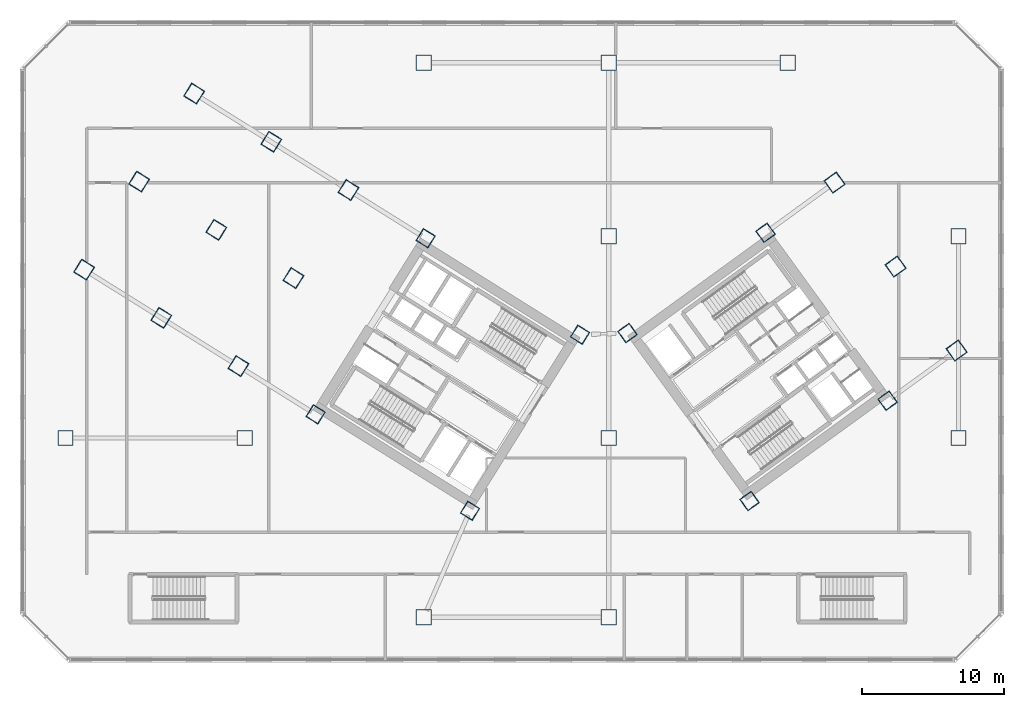
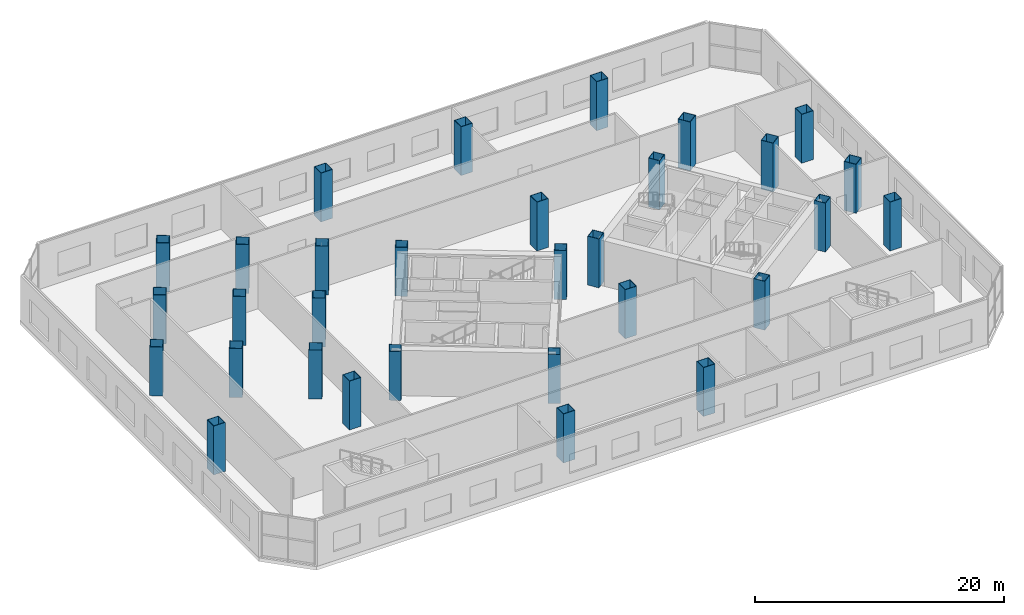
# One storey, part 1 of 22: 31 columns.
"""IFC4 building model written with IfcOpenShell, lengths in metres."""

import ifcopenshell
import ifcopenshell.guid

model = None  # the IFC model being written
_history = None  # IfcOwnerHistory: only IFC2X3 demands one
_inside = {}  # id of a spatial element -> (the spatial element, [elements in it])
_under = {}  # id of a project, library or spatial element -> (it, [spatial elements below it])
_declared = {}  # id of a project -> (the project, [libraries it declares])
_typed = {}  # id of a type object -> (the type object, [elements of that type])
_made_of = {}  # id of a material, layer set ... -> (it, [elements and type objects made of it])


def new_model(schema):
    """Start an empty IFC model of exactly this schema.

    Asked for "IFC4X3", IfcOpenShell would pick the latest addendum, in which some entities
    have other attributes; the version numbers below select the first issue.
    IFC2X3 requires an IfcOwnerHistory on every rooted entity: one is made here for all.
    """
    global model, _history
    if schema == "IFC4X3":
        model = ifcopenshell.file(schema_version=(4, 3, 0, 0))
    else:
        model = ifcopenshell.file(schema=schema)
    _inside.clear()
    _under.clear()
    _declared.clear()
    _typed.clear()
    _made_of.clear()
    _history = None
    if model.schema == "IFC2X3":
        org = make("IfcOrganization", Name="unknown")
        user = make(
            "IfcPersonAndOrganization",
            ThePerson=make("IfcPerson", FamilyName="unknown"),
            TheOrganization=org,
        )
        app = make(
            "IfcApplication",
            ApplicationDeveloper=org,
            Version="unknown",
            ApplicationFullName="unknown",
            ApplicationIdentifier="unknown",
        )
        _history = make(
            "IfcOwnerHistory",
            OwningUser=user,
            OwningApplication=app,
            ChangeAction="ADDED",
            CreationDate=0,
        )
    return model


def make(cls, **values):
    """One entity of the class cls with the attributes given. An attribute that is None is left unset."""
    return model.create_entity(
        cls, **{name: value for name, value in values.items() if value is not None}
    )


def rooted(cls, **values):
    """An entity with a GlobalId (a new one), such as an element, a storey or a relation."""
    return make(cls, GlobalId=ifcopenshell.guid.new(), OwnerHistory=_history, **values)


def si_unit(unit_type, name, prefix=None):
    """IfcSIUnit, for example si_unit("LENGTHUNIT", "METRE", prefix="MILLI")."""
    return make("IfcSIUnit", UnitType=unit_type, Prefix=prefix, Name=name)


def assignment(units):
    """IfcUnitAssignment: the units of a project."""
    return None if units is None else make("IfcUnitAssignment", Units=units)


def point(xyz):
    """IfcCartesianPoint."""
    return None if xyz is None else make("IfcCartesianPoint", Coordinates=xyz)


def direction(xyz):
    """IfcDirection."""
    return None if xyz is None else make("IfcDirection", DirectionRatios=xyz)


def frame(location, z_axis=None, x_axis=None):
    """IfcAxis2Placement3D, a coordinate frame: its origin and axes. An axis left out is left unset."""
    return make(
        "IfcAxis2Placement3D",
        Location=point(location),
        Axis=direction(z_axis),
        RefDirection=direction(x_axis),
    )


def frame_2d(location, x_axis=None):
    """IfcAxis2Placement2D, a coordinate frame in the plane: its origin and x axis."""
    return make(
        "IfcAxis2Placement2D", Location=point(location), RefDirection=direction(x_axis)
    )


def origin():
    """The frame at (0, 0, 0) with its axes left unset."""
    return frame((0.0, 0.0, 0.0))


def origin_2d():
    """The frame at (0, 0) in the plane with its x axis left unset."""
    return frame_2d((0.0, 0.0))


def place(relative_to, where):
    """IfcLocalPlacement: puts the frame where relative to a parent placement (None: the world)."""
    return make(
        "IfcLocalPlacement", PlacementRelTo=relative_to, RelativePlacement=where
    )


def context(
    kind, dimensions, precision=None, world=None, true_north=None, identifier=None
):
    """IfcGeometricRepresentationContext, for example the 3D "Model" context."""
    return make(
        "IfcGeometricRepresentationContext",
        ContextIdentifier=identifier,
        ContextType=kind,
        CoordinateSpaceDimension=dimensions,
        Precision=precision,
        WorldCoordinateSystem=world,
        TrueNorth=true_north,
    )


def subcontext(parent, identifier, kind, view, scale=None):
    """IfcGeometricRepresentationSubContext, for example "Body" below "Model"."""
    return make(
        "IfcGeometricRepresentationSubContext",
        ContextIdentifier=identifier,
        ContextType=kind,
        ParentContext=parent,
        TargetScale=scale,
        TargetView=view,
    )


def project(units=None, contexts=None):
    """IfcProject with its units and contexts."""
    return rooted(
        "IfcProject",
        Name="project",
        RepresentationContexts=contexts,
        UnitsInContext=assignment(units),
    )


def spatial(cls, under=None, at=None, **own):
    """A site, building, storey or space (cls), placed at a placement, below another one or the project."""
    s = rooted(cls, ObjectPlacement=at, **own)
    if under is not None:
        _under.setdefault(under.id(), (under, []))[1].append(s)
    return s


def profile(cls, at=None, kind="AREA", **sizes):
    """A parametric profile (cls). Its sizes go by their IFC names, for example OverallWidth=200.0."""
    return make(cls, ProfileType=kind, Position=at, **sizes)


def hollow_rectangle(**sizes):
    """IfcRectangleHollowProfileDef."""
    return profile("IfcRectangleHollowProfileDef", **sizes)


def extrude(swept, where, along, depth):
    """IfcExtrudedAreaSolid: the profile swept, set in the frame where, extruded along a direction by depth."""
    return make(
        "IfcExtrudedAreaSolid",
        SweptArea=swept,
        Position=where,
        ExtrudedDirection=direction(along),
        Depth=depth,
    )


def shape(context_of_items, identifier, shape_type, items):
    """IfcShapeRepresentation: the items that make up one representation, for example the "Body"."""
    return make(
        "IfcShapeRepresentation",
        ContextOfItems=context_of_items,
        RepresentationIdentifier=identifier,
        RepresentationType=shape_type,
        Items=items,
    )


def source(mapping_origin, context_of_items, identifier, shape_type, items):
    """IfcRepresentationMap: a shape defined once, which mapped items show again and again."""
    return make(
        "IfcRepresentationMap",
        MappingOrigin=mapping_origin,
        MappedRepresentation=shape(context_of_items, identifier, shape_type, items),
    )


def transform(
    local_origin,
    x_axis=None,
    y_axis=None,
    z_axis=None,
    scale=None,
    scale2=None,
    scale3=None,
    uniform=True,
):
    """IfcCartesianTransformationOperator3D, or its non-uniform kind. x_axis, y_axis, z_axis: its Axis1, 2, 3."""
    if uniform:
        return make(
            "IfcCartesianTransformationOperator3D",
            Axis1=direction(x_axis),
            Axis2=direction(y_axis),
            LocalOrigin=point(local_origin),
            Scale=scale,
            Axis3=direction(z_axis),
        )
    return make(
        "IfcCartesianTransformationOperator3DnonUniform",
        Axis1=direction(x_axis),
        Axis2=direction(y_axis),
        LocalOrigin=point(local_origin),
        Scale=scale,
        Axis3=direction(z_axis),
        Scale2=scale2,
        Scale3=scale3,
    )


def mapped(mapping_source, mapping_target):
    """IfcMappedItem: shows the shape of a source again, moved by a transform."""
    return make(
        "IfcMappedItem", MappingSource=mapping_source, MappingTarget=mapping_target
    )


def material(Name=None, Category=None):
    """IfcMaterial."""
    return make("IfcMaterial", Name=Name, Category=Category)


def material_profile(
    of_material, cross_section, Name=None, Category=None, Priority=None
):
    """IfcMaterialProfile: a cross section and its material."""
    return make(
        "IfcMaterialProfile",
        Name=Name,
        Material=of_material,
        Profile=cross_section,
        Priority=Priority,
        Category=Category,
    )


def profile_set(profiles, Name=None, composite=None):
    """IfcMaterialProfileSet."""
    return make(
        "IfcMaterialProfileSet",
        Name=Name,
        MaterialProfiles=profiles,
        CompositeProfile=composite,
    )


def made_of(thing, what):
    """Note that an element or type object is made of a material, layer set ...; save() writes the relation."""
    if what is not None:
        _made_of.setdefault(what.id(), (what, []))[1].append(thing)
    return thing


def type_object(cls, material=None, **own):
    """A type object (cls), such as IfcWallType, which elements share."""
    return made_of(rooted(cls, **own), material)


def element(
    cls,
    number,
    at=None,
    inside=None,
    cuts=None,
    type_object=None,
    material=None,
    context=None,
    identifier="Body",
    shape_type=None,
    held_by="IfcProductDefinitionShape",
    body=None,
    shapes=None,
    **own,
):
    """One element of the class cls, such as IfcWall. Its Tag is "e" and its number.

    at: its placement. inside: the storey or other place that contains it. cuts: it is an
    opening in that element (IfcRelVoidsElement). A single representation is given by context,
    identifier, shape_type and body (its items); several are given by shapes. held_by: the class
    of the entity that holds the representations. save() writes the other relations.
    """
    e = rooted(cls, Tag="e%d" % number, ObjectPlacement=at, **own)
    if body is not None:
        shapes = [shape(context, identifier, shape_type, body)]
    if shapes is not None:
        e.Representation = make(held_by, Representations=shapes)
    if inside is not None:
        _inside.setdefault(inside.id(), (inside, []))[1].append(e)
    if cuts is not None:
        rooted(
            "IfcRelVoidsElement", RelatingBuildingElement=cuts, RelatedOpeningElement=e
        )
    if type_object is not None:
        _typed.setdefault(type_object.id(), (type_object, []))[1].append(e)
    return made_of(e, material)


def aggregate(whole, parts):
    """IfcRelAggregates: a whole, such as a stair, and the parts it consists of."""
    return rooted("IfcRelAggregates", RelatingObject=whole, RelatedObjects=parts)


def save(model, path):
    """Write the relations noted so far, then the file.

    IfcRelAggregates (storeys below a building ...), IfcRelContainedInSpatialStructure (elements
    in a storey), IfcRelDefinesByType, IfcRelAssociatesMaterial and IfcRelDeclares: one each for
    every whole, place, type object, material and project.
    """
    for whole, parts in _under.values():
        aggregate(whole, parts)
    for where, things in _inside.values():
        rooted(
            "IfcRelContainedInSpatialStructure",
            RelatedElements=things,
            RelatingStructure=where,
        )
    for kind, things in _typed.values():
        rooted("IfcRelDefinesByType", RelatedObjects=things, RelatingType=kind)
    for what, things in _made_of.values():
        rooted("IfcRelAssociatesMaterial", RelatedObjects=things, RelatingMaterial=what)
    for by, libraries in _declared.values():
        rooted("IfcRelDeclares", RelatingContext=by, RelatedDefinitions=libraries)
    model.write(path)


model = new_model("IFC4")

# Units and contexts
model_context = context("Model", 3, precision=1e-05, world=origin(), true_north=direction((0.0, 1.0)))
body_context = subcontext(model_context, "Body", "Model", "MODEL_VIEW")
ifc_project = project(units=[si_unit("LENGTHUNIT", "METRE"), si_unit("AREAUNIT", "SQUARE_METRE"), si_unit("VOLUMEUNIT", "CUBIC_METRE"), si_unit("PLANEANGLEUNIT", "RADIAN"), si_unit("MASSUNIT", "GRAM", prefix="KILO")], contexts=[model_context])

# Site, building, storey
site_placement = place(None, origin())
site = spatial("IfcSite", under=ifc_project, at=site_placement, CompositionType="ELEMENT")
building_placement = place(site_placement, origin())
building = spatial("IfcBuilding", under=site, at=building_placement, Name="Tlacorven Tower", CompositionType="ELEMENT")
storey_placement = place(building_placement, frame((0.0, 0.0, 5.39990234375)))
storey = spatial("IfcBuildingStorey", under=building, at=storey_placement, Name="L01", CompositionType="ELEMENT", Elevation=5.39990234375)

# Columns
ifc_material = material(Name="Steel S460M", Category="steel")
ifc_material_profile_1 = material_profile(ifc_material, hollow_rectangle(XDim=1.080078125, YDim=1.080078125, WallThickness=0.0400390625, at=origin_2d()), Name="BOX 1080X1080X40")
ifc_profile_set_1 = profile_set([ifc_material_profile_1], Name="Steel S460M")
column_type_1 = type_object("IfcColumnType", Name="COL-POD-M1", PredefinedType="COLUMN", material=ifc_profile_set_1)
shared_shape_1 = source(origin(), body_context, "Body", "SweptSolid", [
    extrude(hollow_rectangle(XDim=1.080078125, YDim=1.080078125, WallThickness=0.0400390625, at=origin_2d()), origin(), (0.0, 0.0, 1.0), 4.800048828125),
])
for number, where, z_axis, x_axis, name in (
    (1, (4.60009765625, 17.199951171875, 0.0), (0.0, 0.0, 1.0), (1.0, 0.0, 0.0), "L01 column COL-L01-P01"),
    (2, (17.199951171875, 17.199951171875, 0.0), (0.0, 0.0, 1.0), (1.0, 0.0, 0.0), "L01 column COL-L01-P02"),
    (3, (29.800048828125, 4.60009765625, 0.0), (0.0, 0.0, 1.0), (1.0, 0.0, 0.0), "L01 column COL-L01-P03"),
    (4, (29.800048828125, 43.60009765625, 0.0), (0.0, 0.0, 1.0), (1.0, 0.0, 0.0), "L01 column COL-L01-P04"),
    (5, (42.800048828125, 4.60009765625, 0.0), (0.0, 0.0, 1.0), (1.0, 0.0, 0.0), "L01 column COL-L01-P05"),
    (6, (42.800048828125, 17.199951171875, 0.0), (0.0, 0.0, 1.0), (1.0, 0.0, 0.0), "L01 column COL-L01-P06"),
    (7, (42.800048828125, 31.39990234375, 0.0), (0.0, 0.0, 1.0), (1.0, 0.0, 0.0), "L01 column COL-L01-P07"),
    (8, (42.800048828125, 43.60009765625, 0.0), (0.0, 0.0, 1.0), (1.0, 0.0, 0.0), "L01 column COL-L01-P08"),
    (9, (55.39990234375, 43.60009765625, 0.0), (0.0, 0.0, 1.0), (1.0, 0.0, 0.0), "L01 column COL-L01-P09"),
    (10, (67.39990234375, 17.199951171875, 0.0), (0.0, 0.0, 1.0), (1.0, 0.0, 0.0), "L01 column COL-L01-P10"),
    (11, (67.39990234375, 31.39990234375, 0.0), (0.0, 0.0, 1.0), (1.0, 0.0, 0.0), "L01 column COL-L01-P11"),
    (12, (24.50048828125, 34.642822265625, 0.0), (0.0, 0.0, 1.0), (-0.848048096156, 0.529919264233, 0.0), "L01 column COL-L01-WT11"),
    (13, (20.632080078125, 28.4521484375, 0.0), (0.0, 0.0, 1.0), (-0.848048096156, 0.529919264233, 0.0), "L01 column COL-L01-WT12"),
    (14, (16.763671875, 22.26123046875, 0.0), (0.0, 0.0, 1.0), (-0.848048096156, 0.529919264233, 0.0), "L01 column COL-L01-WT13"),
    (15, (19.072998046875, 38.034423828125, 0.0), (0.0, 0.0, 1.0), (-0.848048096156, 0.529919264233, 0.0), "L01 column COL-L01-WT21"),
    (16, (15.20458984375, 31.843505859375, 0.0), (0.0, 0.0, 1.0), (-0.848048096156, 0.529919264233, 0.0), "L01 column COL-L01-WT22"),
    (17, (11.336181640625, 25.65283203125, 0.0), (0.0, 0.0, 1.0), (-0.848048096156, 0.529919264233, 0.0), "L01 column COL-L01-WT23"),
    (18, (13.6455078125, 41.42578125, 0.0), (0.0, 0.0, 1.0), (-0.848048096156, 0.529919264233, 0.0), "L01 column COL-L01-WT31"),
    (19, (9.777099609375, 35.235107421875, 0.0), (0.0, 0.0, 1.0), (-0.848048096156, 0.529919264233, 0.0), "L01 column COL-L01-WT32"),
    (20, (5.90869140625, 29.044189453125, 0.0), (0.0, 0.0, 1.0), (-0.848048096156, 0.529919264233, 0.0), "L01 column COL-L01-WT33"),
    (21, (67.267822265625, 23.353515625, 0.0), (0.0, 0.0, 1.0), (0.809016994375, 0.587785252292, 0.0), "L01 column COL-L01-ET11"),
    (22, (62.976806640625, 29.25927734375, 0.0), (0.0, 0.0, 1.0), (0.809016994375, 0.587785252292, 0.0), "L01 column COL-L01-ET12"),
    (23, (58.68603515625, 35.165283203125, 0.0), (0.0, 0.0, 1.0), (0.809016994375, 0.587785252292, 0.0), "L01 column COL-L01-ET13"),
):
    element("IfcColumn", number, at=place(storey_placement, frame(where, z_axis=z_axis, x_axis=x_axis)), inside=storey, type_object=column_type_1, Name=name, PredefinedType="COLUMN", context=body_context, shape_type="MappedRepresentation", body=[
        mapped(shared_shape_1, transform((0.0, 0.0, 0.0), scale=1.0)),
    ])
ifc_material_profile_2 = material_profile(ifc_material, hollow_rectangle(XDim=1.0, YDim=1.0, WallThickness=0.0400390625, at=origin_2d()), Name="BOX 1000X1000X40")
ifc_profile_set_2 = profile_set([ifc_material_profile_2], Name="Steel S460M")
column_type_2 = type_object("IfcColumnType", Name="COL-TWR-S1", PredefinedType="COLUMN", material=ifc_profile_set_2)
shared_shape_2 = source(origin(), body_context, "Body", "SweptSolid", [
    extrude(hollow_rectangle(XDim=1.0, YDim=1.0, WallThickness=0.0400390625, at=origin_2d()), origin(), (0.0, 0.0, 1.0), 4.800048828125),
])
for number, where, z_axis, x_axis, name in (
    (24, (40.782958984375, 24.468505859375, 0.0), (0.0, 0.0, 1.0), (-0.848048096156, 0.529919264233, 0.0), "L01 column COL-L01-CW11"),
    (25, (33.046142578125, 12.0869140625, 0.0), (0.0, 0.0, 1.0), (-0.848048096156, 0.529919264233, 0.0), "L01 column COL-L01-CW12"),
    (26, (29.927978515625, 31.25146484375, 0.0), (0.0, 0.0, 1.0), (-0.848048096156, 0.529919264233, 0.0), "L01 column COL-L01-CW21"),
    (27, (22.191162109375, 18.869873046875, 0.0), (0.0, 0.0, 1.0), (-0.848048096156, 0.529919264233, 0.0), "L01 column COL-L01-CW22"),
    (28, (52.705322265625, 12.7734375, 0.0), (0.0, 0.0, 1.0), (0.809016994375, 0.587785252292, 0.0), "L01 column COL-L01-CE11"),
    (29, (44.123779296875, 24.5849609375, 0.0), (0.0, 0.0, 1.0), (0.809016994375, 0.587785252292, 0.0), "L01 column COL-L01-CE12"),
    (30, (62.41357421875, 19.826904296875, 0.0), (0.0, 0.0, 1.0), (0.809016994375, 0.587785252292, 0.0), "L01 column COL-L01-CE21"),
    (31, (53.83203125, 31.638427734375, 0.0), (0.0, 0.0, 1.0), (0.809016994375, 0.587785252292, 0.0), "L01 column COL-L01-CE22"),
):
    element("IfcColumn", number, at=place(storey_placement, frame(where, z_axis=z_axis, x_axis=x_axis)), inside=storey, type_object=column_type_2, Name=name, PredefinedType="COLUMN", context=body_context, shape_type="MappedRepresentation", body=[
        mapped(shared_shape_2, transform((0.0, 0.0, 0.0), scale=1.0)),
    ])

save(model, "model.ifc")
